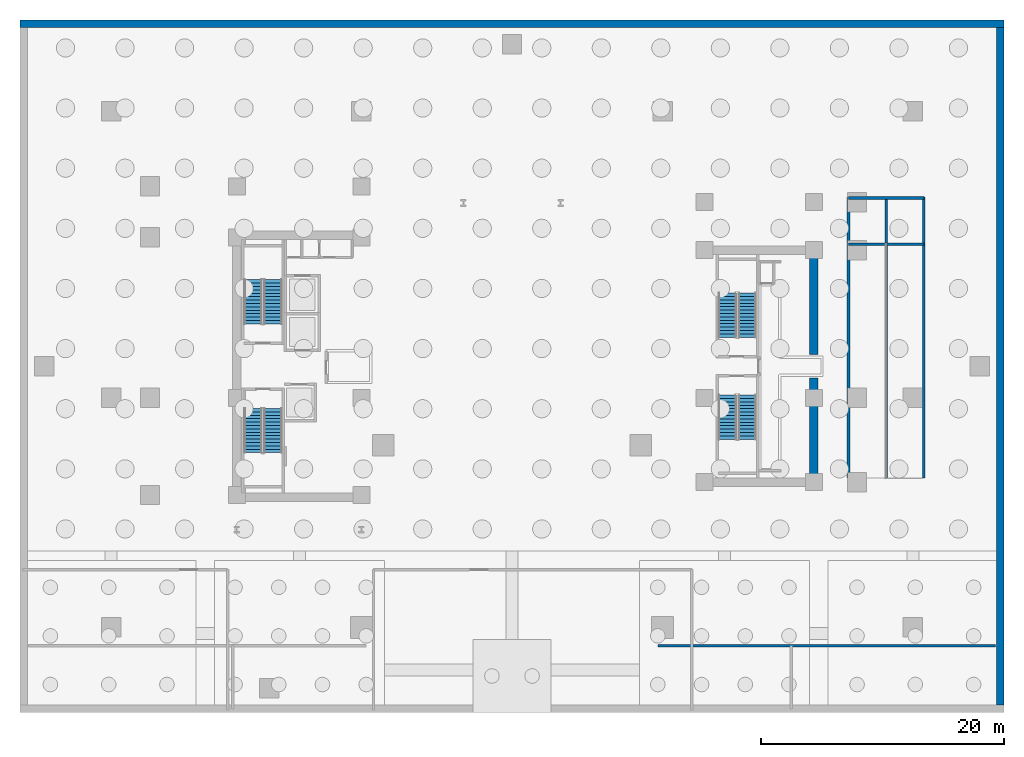
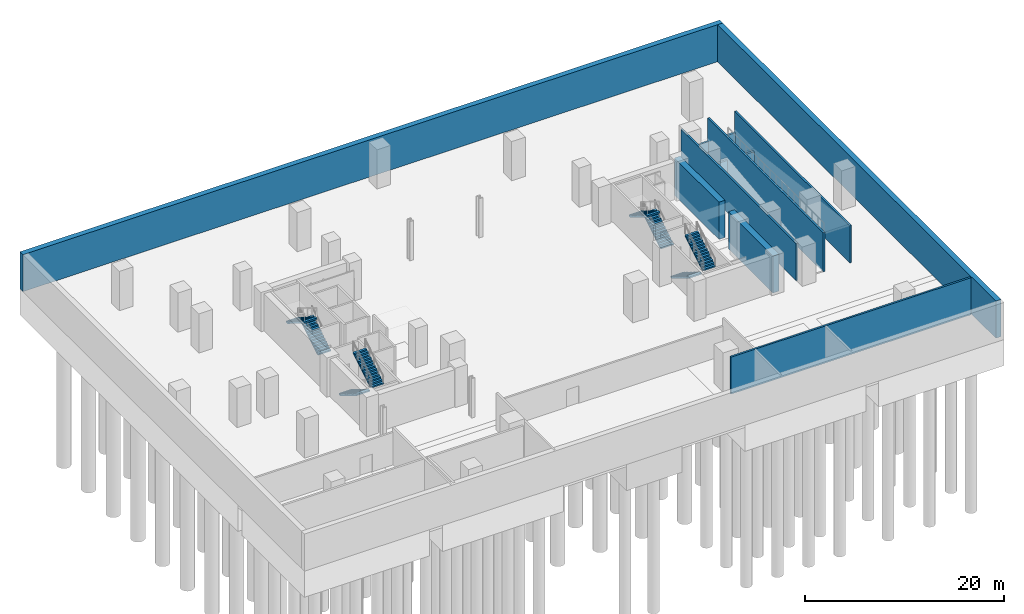
# One storey, part 5 of 10: 10 walls, 8 stair flights, 4 elements without a shape of their own.
"""IFC4 building model written with IfcOpenShell, lengths in metres."""

from ifc_helpers import new_model, si_unit, direction, frame, frame_2d, origin, place, context, subcontext, project, spatial, polyline, rectangle, outline, extrude, material, layer, layer_set, type_object, element, aggregate, save


model = new_model("IFC4")

# Units and contexts
model_context = context("Model", 3, precision=1e-05, world=origin(), true_north=direction((0.0, 1.0)))
body_context = subcontext(model_context, "Body", "Model", "MODEL_VIEW")
ifc_project = project(units=[si_unit("LENGTHUNIT", "METRE"), si_unit("AREAUNIT", "SQUARE_METRE"), si_unit("VOLUMEUNIT", "CUBIC_METRE"), si_unit("PLANEANGLEUNIT", "RADIAN"), si_unit("MASSUNIT", "GRAM", prefix="KILO")], contexts=[model_context])

# Site, building, storey
site_placement = place(None, origin())
site = spatial("IfcSite", under=ifc_project, at=site_placement, CompositionType="ELEMENT")
building_placement = place(site_placement, origin())
building = spatial("IfcBuilding", under=site, at=building_placement, Name="Valdorenza Pilgrim Sanctuary Tower", CompositionType="ELEMENT")
storey_placement = place(building_placement, frame((0.0, 0.0, -9.60009765625)))
storey = spatial("IfcBuildingStorey", under=building, at=storey_placement, Name="B02", CompositionType="ELEMENT", Elevation=-9.60009765625)

# Walls
ifc_material_1 = material(Name="Concrete C60/75", Category="concrete")
ifc_layer_1 = layer(ifc_material_1, 0.699951171875, Name="Concrete C60/75")
ifc_layer_set_1 = layer_set([ifc_layer_1], Name="Concrete C60/75")
wall_type_1 = type_object("IfcWallType", Name="WAL-COR-700", PredefinedType="SHEAR", material=ifc_layer_set_1)
for number, where, z_axis, x_axis, name in (
    (1, (24.85009765625, -9.89990234375, 0.0), (0.0, 0.0, 1.0), (0.0, 1.0, 0.0), "B02 Split Core B Shear Wall ES"),
    (2, (24.85009765625, 0.949951171875, 0.0), (0.0, 0.0, 1.0), (0.0, 1.0, 0.0), "B02 Split Core B Shear Wall EN"),
):
    element("IfcWall", number, at=place(storey_placement, frame(where, z_axis=z_axis, x_axis=x_axis)), inside=storey, type_object=wall_type_1, Name=name, PredefinedType="SHEAR", context=body_context, shape_type="SweptSolid", body=[
        extrude(rectangle(XDim=8.949951171875, YDim=0.699951171875, at=frame_2d((4.47509765625, 0.0))), origin(), (0.0, 0.0, 1.0), 4.5400390625),
    ])
ifc_material_2 = material(Name="Concrete C50/60", Category="concrete")
ifc_layer_2 = layer(ifc_material_2, 0.60009765625, Name="Concrete C50/60")
ifc_layer_set_2 = layer_set([ifc_layer_2], Name="Concrete C50/60")
wall_type_2 = type_object("IfcWallType", Name="WAL-RET-600", PredefinedType="SOLIDWALL", material=ifc_layer_set_2)
wall_1_placement = place(storey_placement, frame((-40.5, 28.199951171875, 0.0), z_axis=(0.0, 0.0, 1.0), x_axis=(1.0, 0.0, 0.0)))
element("IfcWall", 3, at=wall_1_placement, inside=storey, type_object=wall_type_2, Name="B02 Basement Retaining Wall N", PredefinedType="SOLIDWALL", context=body_context, shape_type="SweptSolid", body=[
    extrude(rectangle(XDim=81.0, YDim=0.60009765625, at=frame_2d((40.5, 0.0))), origin(), (0.0, 0.0, 1.0), 4.5400390625),
])
wall_2_placement = place(storey_placement, frame((40.199951171875, -27.89990234375, 0.0), z_axis=(0.0, 0.0, 1.0), x_axis=(0.0, 1.0, 0.0)))
element("IfcWall", 4, at=wall_2_placement, inside=storey, type_object=wall_type_2, Name="B02 Basement Retaining Wall E", PredefinedType="SOLIDWALL", context=body_context, shape_type="SweptSolid", body=[
    extrude(rectangle(XDim=55.7998046875, YDim=0.60009765625, at=frame_2d((27.89990234375, 0.0))), origin(), (0.0, 0.0, 1.0), 4.5400390625),
])
ifc_material_3 = material(Name="Concrete C40/50", Category="concrete")
ifc_layer_3 = layer(ifc_material_3, 0.219970703125, Name="Concrete C40/50")
ifc_layer_set_3 = layer_set([ifc_layer_3], Name="Concrete C40/50")
wall_type_3 = type_object("IfcWallType", Name="WAL-STR-SHF-220", PredefinedType="SHEAR", material=ifc_layer_set_3)
wall_3_placement = place(storey_placement, frame((12.0, -23.0, 0.0), z_axis=(0.0, 0.0, 1.0), x_axis=(1.0, 0.0, 0.0)))
element("IfcWall", 5, at=wall_3_placement, inside=storey, type_object=wall_type_3, Name="B02 Forecourt Sidewalk Bearing Wall SE", PredefinedType="SHEAR", context=body_context, shape_type="SweptSolid", body=[
    extrude(rectangle(XDim=27.800048828125, YDim=0.219970703125, at=frame_2d((13.89990234375, 0.0))), origin(), (0.0, 0.0, 1.0), 4.5400390625),
])
for number, where, z_axis, x_axis, name in (
    (6, (27.699951171875, -9.199951171875, 0.0), (0.0, 0.0, 1.0), (0.0, 1.0, 0.0), "B02 Vehicle Ramp Structural Support Wall W"),
    (7, (33.89990234375, -9.199951171875, 0.0), (0.0, 0.0, 1.0), (0.0, 1.0, 0.0), "B02 Vehicle Ramp Structural Support Wall E"),
):
    element("IfcWall", number, at=place(storey_placement, frame(where, z_axis=z_axis, x_axis=x_axis)), inside=storey, type_object=wall_type_3, Name=name, PredefinedType="SHEAR", context=body_context, shape_type="SweptSolid", body=[
        extrude(rectangle(XDim=23.14990234375, YDim=0.219970703125, at=frame_2d((11.574951171875, 0.0))), origin(), (0.0, 0.0, 1.0), 4.5400390625),
    ])
wall_4_placement = place(storey_placement, frame((27.699951171875, 13.85009765625, 0.0), z_axis=(0.0, 0.0, 1.0), x_axis=(1.0, 0.0, 0.0)))
element("IfcWall", 8, at=wall_4_placement, inside=storey, type_object=wall_type_3, Name="B02 Vehicle Ramp Structural Support Wall N", PredefinedType="SHEAR", context=body_context, shape_type="SweptSolid", body=[
    extrude(rectangle(XDim=6.199951171875, YDim=0.219970703125, at=frame_2d((3.10009765625, 0.0))), origin(), (0.0, 0.0, 1.0), 2.0400390625),
])
wall_5_placement = place(storey_placement, frame((30.800048828125, -9.199951171875, 0.0), z_axis=(0.0, 0.0, 1.0), x_axis=(0.0, 1.0, 0.0)))
element("IfcWall", 9, at=wall_5_placement, inside=storey, type_object=wall_type_3, Name="B02 Vehicle Ramp Structural Support Wall MID", PredefinedType="SHEAR", context=body_context, shape_type="SweptSolid", body=[
    extrude(rectangle(XDim=23.14990234375, YDim=0.219970703125, at=frame_2d((11.574951171875, 0.0))), origin(), (0.0, 0.0, 1.0), 4.800048828125),
])
wall_6_placement = place(storey_placement, frame((27.699951171875, 10.050048828125, 0.0), z_axis=(0.0, 0.0, 1.0), x_axis=(1.0, 0.0, 0.0)))
element("IfcWall", 10, at=wall_6_placement, inside=storey, type_object=wall_type_3, Name="B02 Vehicle Ramp Mid-Landing Bearing Wall", PredefinedType="SHEAR", context=body_context, shape_type="SweptSolid", body=[
    extrude(rectangle(XDim=6.199951171875, YDim=0.219970703125, at=frame_2d((3.10009765625, 0.0))), origin(), (0.0, 0.0, 1.0), 2.0400390625),
])

# Stair, stair flights
stair_type = type_object("IfcStairType", Name="STR-DOG-CORE", PredefinedType="HALF_TURN_STAIR", material=ifc_material_3)
stair_1_placement = place(storey_placement, origin())
stair_1 = element("IfcStair", 11, at=stair_1_placement, inside=storey, type_object=stair_type, Name="B02 ST-A1", PredefinedType="HALF_TURN_STAIR")
stair_flight_type = type_object("IfcStairFlightType", Name="STF-RC-1400", PredefinedType="STRAIGHT", material=ifc_material_3)
stair_flight_1_placement = place(storey_placement, frame((-19.679931640625, 3.47998046875, 0.0), z_axis=(0.0, 0.0, 1.0), x_axis=(0.0, 1.0, 0.0)))
stair_flight_1 = element("IfcStairFlight", 12, at=stair_flight_1_placement, type_object=stair_flight_type, Name="ST-A1 flight 1", NumberOfRisers=14, NumberOfTreads=13, PredefinedType="STRAIGHT", RiserHeight=0.171428571, TreadLength=0.28, context=body_context, shape_type="SweptSolid", body=[
    extrude(outline(polyline([(0.0, 0.0), (0.0, 0.17138671875), (0.280029296875, 0.17138671875), (0.280029296875, 0.3427734375), (0.56005859375, 0.3427734375), (0.56005859375, 0.514404296875), (0.840087890625, 0.514404296875), (0.840087890625, 0.685791015625), (1.1201171875, 0.685791015625), (1.1201171875, 0.857177734375), (1.39990234375, 0.857177734375), (1.39990234375, 1.028564453125), (1.679931640625, 1.028564453125), (1.679931640625, 1.199951171875), (1.9599609375, 1.199951171875), (1.9599609375, 1.371337890625), (2.239990234375, 1.371337890625), (2.239990234375, 1.54296875), (2.52001953125, 1.54296875), (2.52001953125, 1.71435546875), (2.800048828125, 1.71435546875), (2.800048828125, 1.8857421875), (3.080078125, 1.8857421875), (3.080078125, 2.05712890625), (3.360107421875, 2.05712890625), (3.360107421875, 2.228515625), (3.639892578125, 2.228515625), (3.639892578125, 2.39990234375), (3.639892578125, 2.052734375), (0.287109375, 0.0), (0.0, 0.0)])), frame((0.0, 0.739990234375, 0.0), z_axis=(0.0, -1.0, 0.0), x_axis=(1.0, 0.0, 0.0)), (0.0, 0.0, 1.0), 1.47998046875),
])
stair_flight_2_placement = place(storey_placement, frame((-21.31005859375, 7.1201171875, 2.400146484375), z_axis=(0.0, 0.0, 1.0), x_axis=(0.0, -1.0, 0.0)))
stair_flight_2 = element("IfcStairFlight", 13, at=stair_flight_2_placement, type_object=stair_flight_type, Name="ST-A1 flight 2", NumberOfRisers=14, NumberOfTreads=13, PredefinedType="STRAIGHT", RiserHeight=0.171428571, TreadLength=0.28, context=body_context, shape_type="SweptSolid", body=[
    extrude(outline(polyline([(0.0, 0.0), (0.0, 0.17138671875), (0.280029296875, 0.17138671875), (0.280029296875, 0.3427734375), (0.56005859375, 0.3427734375), (0.56005859375, 0.514404296875), (0.840087890625, 0.514404296875), (0.840087890625, 0.685791015625), (1.1201171875, 0.685791015625), (1.1201171875, 0.857177734375), (1.39990234375, 0.857177734375), (1.39990234375, 1.028564453125), (1.679931640625, 1.028564453125), (1.679931640625, 1.199951171875), (1.9599609375, 1.199951171875), (1.9599609375, 1.371337890625), (2.239990234375, 1.371337890625), (2.239990234375, 1.54296875), (2.52001953125, 1.54296875), (2.52001953125, 1.71435546875), (2.800048828125, 1.71435546875), (2.800048828125, 1.8857421875), (3.080078125, 1.8857421875), (3.080078125, 2.05712890625), (3.360107421875, 2.05712890625), (3.360107421875, 2.228515625), (3.639892578125, 2.228515625), (3.639892578125, 2.39990234375), (3.639892578125, 2.052734375), (0.287109375, 0.0), (0.0, 0.0)])), frame((0.0, 0.739990234375, 0.0), z_axis=(0.0, -1.0, 0.0), x_axis=(1.0, 0.0, 0.0)), (0.0, 0.0, 1.0), 1.47998046875),
])
aggregate(stair_1, [stair_flight_1, stair_flight_2])

stair_2_placement = place(storey_placement, origin())
stair_2 = element("IfcStair", 14, at=stair_2_placement, inside=storey, type_object=stair_type, Name="B02 ST-A2", PredefinedType="HALF_TURN_STAIR")
stair_flight_3_placement = place(storey_placement, frame((-21.31005859375, -3.47998046875, 0.0), z_axis=(0.0, 0.0, 1.0), x_axis=(0.0, -1.0, 0.0)))
stair_flight_3 = element("IfcStairFlight", 15, at=stair_flight_3_placement, type_object=stair_flight_type, Name="ST-A2 flight 1", NumberOfRisers=14, NumberOfTreads=13, PredefinedType="STRAIGHT", RiserHeight=0.171428571, TreadLength=0.28, context=body_context, shape_type="SweptSolid", body=[
    extrude(outline(polyline([(0.0, 0.0), (0.0, 0.17138671875), (0.280029296875, 0.17138671875), (0.280029296875, 0.3427734375), (0.56005859375, 0.3427734375), (0.56005859375, 0.514404296875), (0.840087890625, 0.514404296875), (0.840087890625, 0.685791015625), (1.1201171875, 0.685791015625), (1.1201171875, 0.857177734375), (1.39990234375, 0.857177734375), (1.39990234375, 1.028564453125), (1.679931640625, 1.028564453125), (1.679931640625, 1.199951171875), (1.9599609375, 1.199951171875), (1.9599609375, 1.371337890625), (2.239990234375, 1.371337890625), (2.239990234375, 1.54296875), (2.52001953125, 1.54296875), (2.52001953125, 1.71435546875), (2.800048828125, 1.71435546875), (2.800048828125, 1.8857421875), (3.080078125, 1.8857421875), (3.080078125, 2.05712890625), (3.360107421875, 2.05712890625), (3.360107421875, 2.228515625), (3.639892578125, 2.228515625), (3.639892578125, 2.39990234375), (3.639892578125, 2.052734375), (0.287109375, 0.0), (0.0, 0.0)])), frame((0.0, 0.739990234375, 0.0), z_axis=(0.0, -1.0, 0.0), x_axis=(1.0, 0.0, 0.0)), (0.0, 0.0, 1.0), 1.47998046875),
])
stair_flight_4_placement = place(storey_placement, frame((-19.679931640625, -7.1201171875, 2.400146484375), z_axis=(0.0, 0.0, 1.0), x_axis=(0.0, 1.0, 0.0)))
stair_flight_4 = element("IfcStairFlight", 16, at=stair_flight_4_placement, type_object=stair_flight_type, Name="ST-A2 flight 2", NumberOfRisers=14, NumberOfTreads=13, PredefinedType="STRAIGHT", RiserHeight=0.171428571, TreadLength=0.28, context=body_context, shape_type="SweptSolid", body=[
    extrude(outline(polyline([(0.0, 0.0), (0.0, 0.17138671875), (0.280029296875, 0.17138671875), (0.280029296875, 0.3427734375), (0.56005859375, 0.3427734375), (0.56005859375, 0.514404296875), (0.840087890625, 0.514404296875), (0.840087890625, 0.685791015625), (1.1201171875, 0.685791015625), (1.1201171875, 0.857177734375), (1.39990234375, 0.857177734375), (1.39990234375, 1.028564453125), (1.679931640625, 1.028564453125), (1.679931640625, 1.199951171875), (1.9599609375, 1.199951171875), (1.9599609375, 1.371337890625), (2.239990234375, 1.371337890625), (2.239990234375, 1.54296875), (2.52001953125, 1.54296875), (2.52001953125, 1.71435546875), (2.800048828125, 1.71435546875), (2.800048828125, 1.8857421875), (3.080078125, 1.8857421875), (3.080078125, 2.05712890625), (3.360107421875, 2.05712890625), (3.360107421875, 2.228515625), (3.639892578125, 2.228515625), (3.639892578125, 2.39990234375), (3.639892578125, 2.052734375), (0.287109375, 0.0), (0.0, 0.0)])), frame((0.0, 0.739990234375, 0.0), z_axis=(0.0, -1.0, 0.0), x_axis=(1.0, 0.0, 0.0)), (0.0, 0.0, 1.0), 1.47998046875),
])
aggregate(stair_2, [stair_flight_3, stair_flight_4])

stair_3_placement = place(storey_placement, origin())
stair_3 = element("IfcStair", 17, at=stair_3_placement, inside=storey, type_object=stair_type, Name="B02 ST-B1", PredefinedType="HALF_TURN_STAIR")
stair_flight_5_placement = place(storey_placement, frame((19.3701171875, 2.3798828125, 0.0), z_axis=(0.0, 0.0, 1.0), x_axis=(0.0, 1.0, 0.0)))
stair_flight_5 = element("IfcStairFlight", 18, at=stair_flight_5_placement, type_object=stair_flight_type, Name="ST-B1 flight 1", NumberOfRisers=14, NumberOfTreads=13, PredefinedType="STRAIGHT", RiserHeight=0.171428571, TreadLength=0.28, context=body_context, shape_type="SweptSolid", body=[
    extrude(outline(polyline([(0.0, 0.0), (0.0, 0.17138671875), (0.280029296875, 0.17138671875), (0.280029296875, 0.3427734375), (0.56005859375, 0.3427734375), (0.56005859375, 0.514404296875), (0.840087890625, 0.514404296875), (0.840087890625, 0.685791015625), (1.1201171875, 0.685791015625), (1.1201171875, 0.857177734375), (1.39990234375, 0.857177734375), (1.39990234375, 1.028564453125), (1.679931640625, 1.028564453125), (1.679931640625, 1.199951171875), (1.9599609375, 1.199951171875), (1.9599609375, 1.371337890625), (2.239990234375, 1.371337890625), (2.239990234375, 1.54296875), (2.52001953125, 1.54296875), (2.52001953125, 1.71435546875), (2.800048828125, 1.71435546875), (2.800048828125, 1.8857421875), (3.080078125, 1.8857421875), (3.080078125, 2.05712890625), (3.360107421875, 2.05712890625), (3.360107421875, 2.228515625), (3.639892578125, 2.228515625), (3.639892578125, 2.39990234375), (3.639892578125, 2.052734375), (0.287109375, 0.0), (0.0, 0.0)])), frame((0.0, 0.739990234375, 0.0), z_axis=(0.0, -1.0, 0.0), x_axis=(1.0, 0.0, 0.0)), (0.0, 0.0, 1.0), 1.47998046875),
])
stair_flight_6_placement = place(storey_placement, frame((17.739990234375, 6.02001953125, 2.400146484375), z_axis=(0.0, 0.0, 1.0), x_axis=(0.0, -1.0, 0.0)))
stair_flight_6 = element("IfcStairFlight", 19, at=stair_flight_6_placement, type_object=stair_flight_type, Name="ST-B1 flight 2", NumberOfRisers=14, NumberOfTreads=13, PredefinedType="STRAIGHT", RiserHeight=0.171428571, TreadLength=0.28, context=body_context, shape_type="SweptSolid", body=[
    extrude(outline(polyline([(0.0, 0.0), (0.0, 0.17138671875), (0.280029296875, 0.17138671875), (0.280029296875, 0.3427734375), (0.56005859375, 0.3427734375), (0.56005859375, 0.514404296875), (0.840087890625, 0.514404296875), (0.840087890625, 0.685791015625), (1.1201171875, 0.685791015625), (1.1201171875, 0.857177734375), (1.39990234375, 0.857177734375), (1.39990234375, 1.028564453125), (1.679931640625, 1.028564453125), (1.679931640625, 1.199951171875), (1.9599609375, 1.199951171875), (1.9599609375, 1.371337890625), (2.239990234375, 1.371337890625), (2.239990234375, 1.54296875), (2.52001953125, 1.54296875), (2.52001953125, 1.71435546875), (2.800048828125, 1.71435546875), (2.800048828125, 1.8857421875), (3.080078125, 1.8857421875), (3.080078125, 2.05712890625), (3.360107421875, 2.05712890625), (3.360107421875, 2.228515625), (3.639892578125, 2.228515625), (3.639892578125, 2.39990234375), (3.639892578125, 2.052734375), (0.287109375, 0.0), (0.0, 0.0)])), frame((0.0, 0.739990234375, 0.0), z_axis=(0.0, -1.0, 0.0), x_axis=(1.0, 0.0, 0.0)), (0.0, 0.0, 1.0), 1.47998046875),
])
aggregate(stair_3, [stair_flight_5, stair_flight_6])

stair_4_placement = place(storey_placement, origin())
stair_4 = element("IfcStair", 20, at=stair_4_placement, inside=storey, type_object=stair_type, Name="B02 ST-B2", PredefinedType="HALF_TURN_STAIR")
stair_flight_7_placement = place(storey_placement, frame((17.739990234375, -2.3798828125, 0.0), z_axis=(0.0, 0.0, 1.0), x_axis=(0.0, -1.0, 0.0)))
stair_flight_7 = element("IfcStairFlight", 21, at=stair_flight_7_placement, type_object=stair_flight_type, Name="ST-B2 flight 1", NumberOfRisers=14, NumberOfTreads=13, PredefinedType="STRAIGHT", RiserHeight=0.171428571, TreadLength=0.28, context=body_context, shape_type="SweptSolid", body=[
    extrude(outline(polyline([(0.0, 0.0), (0.0, 0.17138671875), (0.280029296875, 0.17138671875), (0.280029296875, 0.3427734375), (0.56005859375, 0.3427734375), (0.56005859375, 0.514404296875), (0.840087890625, 0.514404296875), (0.840087890625, 0.685791015625), (1.1201171875, 0.685791015625), (1.1201171875, 0.857177734375), (1.39990234375, 0.857177734375), (1.39990234375, 1.028564453125), (1.679931640625, 1.028564453125), (1.679931640625, 1.199951171875), (1.9599609375, 1.199951171875), (1.9599609375, 1.371337890625), (2.239990234375, 1.371337890625), (2.239990234375, 1.54296875), (2.52001953125, 1.54296875), (2.52001953125, 1.71435546875), (2.800048828125, 1.71435546875), (2.800048828125, 1.8857421875), (3.080078125, 1.8857421875), (3.080078125, 2.05712890625), (3.360107421875, 2.05712890625), (3.360107421875, 2.228515625), (3.639892578125, 2.228515625), (3.639892578125, 2.39990234375), (3.639892578125, 2.052734375), (0.287109375, 0.0), (0.0, 0.0)])), frame((0.0, 0.739990234375, 0.0), z_axis=(0.0, -1.0, 0.0), x_axis=(1.0, 0.0, 0.0)), (0.0, 0.0, 1.0), 1.47998046875),
])
stair_flight_8_placement = place(storey_placement, frame((19.3701171875, -6.02001953125, 2.400146484375), z_axis=(0.0, 0.0, 1.0), x_axis=(0.0, 1.0, 0.0)))
stair_flight_8 = element("IfcStairFlight", 22, at=stair_flight_8_placement, type_object=stair_flight_type, Name="ST-B2 flight 2", NumberOfRisers=14, NumberOfTreads=13, PredefinedType="STRAIGHT", RiserHeight=0.171428571, TreadLength=0.28, context=body_context, shape_type="SweptSolid", body=[
    extrude(outline(polyline([(0.0, 0.0), (0.0, 0.17138671875), (0.280029296875, 0.17138671875), (0.280029296875, 0.3427734375), (0.56005859375, 0.3427734375), (0.56005859375, 0.514404296875), (0.840087890625, 0.514404296875), (0.840087890625, 0.685791015625), (1.1201171875, 0.685791015625), (1.1201171875, 0.857177734375), (1.39990234375, 0.857177734375), (1.39990234375, 1.028564453125), (1.679931640625, 1.028564453125), (1.679931640625, 1.199951171875), (1.9599609375, 1.199951171875), (1.9599609375, 1.371337890625), (2.239990234375, 1.371337890625), (2.239990234375, 1.54296875), (2.52001953125, 1.54296875), (2.52001953125, 1.71435546875), (2.800048828125, 1.71435546875), (2.800048828125, 1.8857421875), (3.080078125, 1.8857421875), (3.080078125, 2.05712890625), (3.360107421875, 2.05712890625), (3.360107421875, 2.228515625), (3.639892578125, 2.228515625), (3.639892578125, 2.39990234375), (3.639892578125, 2.052734375), (0.287109375, 0.0), (0.0, 0.0)])), frame((0.0, 0.739990234375, 0.0), z_axis=(0.0, -1.0, 0.0), x_axis=(1.0, 0.0, 0.0)), (0.0, 0.0, 1.0), 1.47998046875),
])
aggregate(stair_4, [stair_flight_7, stair_flight_8])

save(model, "model.ifc")
